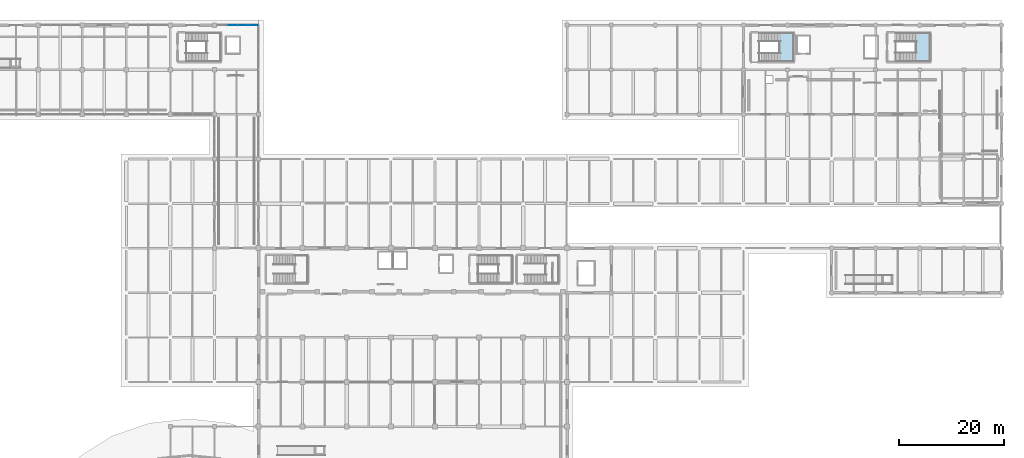
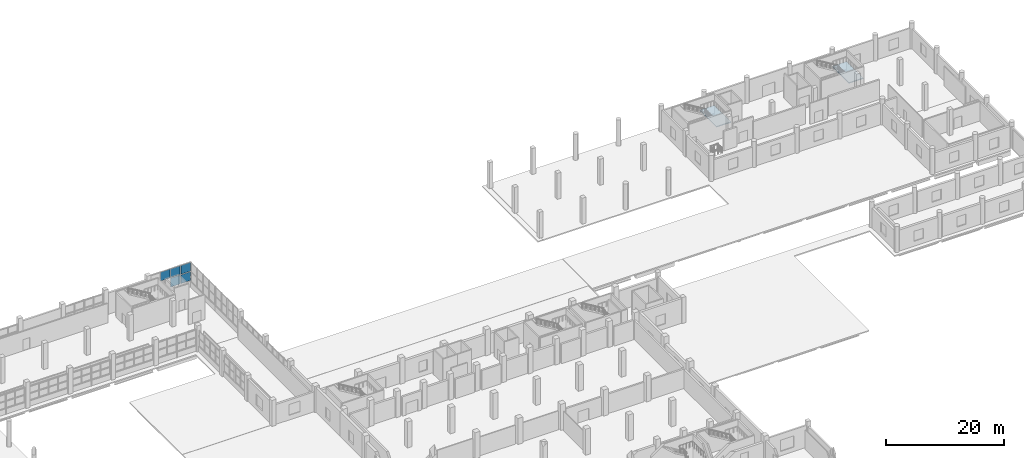
# One storey, part 85 of 107: 5 plates, 2 slabs, 3 elements without a shape of their own.
"""IFC4 building model written with IfcOpenShell, lengths in metres."""

from ifc_helpers import new_model, si_unit, direction, frame, origin, origin_2d, place, context, subcontext, project, spatial, polyline, rectangle, outline, extrude, material, layer, layer_set, type_object, element, aggregate, save


model = new_model("IFC4")

# Units and contexts
model_context = context("Model", 3, precision=1e-05, world=origin(), true_north=direction((0.0, 1.0)))
body_context = subcontext(model_context, "Body", "Model", "MODEL_VIEW")
ifc_project = project(units=[si_unit("LENGTHUNIT", "METRE"), si_unit("AREAUNIT", "SQUARE_METRE"), si_unit("VOLUMEUNIT", "CUBIC_METRE"), si_unit("PLANEANGLEUNIT", "RADIAN"), si_unit("MASSUNIT", "GRAM", prefix="KILO")], contexts=[model_context])

# Site, building, storey
site_placement = place(None, origin())
site = spatial("IfcSite", under=ifc_project, at=site_placement, CompositionType="ELEMENT")
building_placement = place(site_placement, origin())
building = spatial("IfcBuilding", under=site, at=building_placement, Name="Solvento Point Concert Hall", CompositionType="ELEMENT")
storey_placement = place(building_placement, origin())
storey = spatial("IfcBuildingStorey", under=building, at=storey_placement, Name="L00", CompositionType="ELEMENT", Elevation=0.0)

# Curtain wall, plates
ifc_material_1 = material(Name="Anodized Bronze Aluminium", Category="aluminium")
curtain_wall_type = type_object("IfcCurtainWallType", Name="CurtainWall_CourtPilotis", PredefinedType="USERDEFINED", material=ifc_material_1)
curtain_wall_placement = place(storey_placement, origin())
curtain_wall = element("IfcCurtainWall", 1, at=curtain_wall_placement, inside=storey, type_object=curtain_wall_type, Name="Unitised curtain wall CW-96 UCW-L00-031", ObjectType="UNITISED CURTAIN WALL", PredefinedType="USERDEFINED")
ifc_material_2 = material(Name="Hurricane Laminated Low-E Glass", Category="glass")
plate_type = type_object("IfcPlateType", Name="CurtainPanel_CourtPilotis", PredefinedType="CURTAIN_PANEL", material=ifc_material_2)
plate_1_placement = place(storey_placement, frame((69.42626953125, 136.0, 3.18017578125), z_axis=(0.0, 0.0, 1.0), x_axis=(1.0, 0.0, 0.0)))
plate_1 = element("IfcPlate", 2, at=plate_1_placement, type_object=plate_type, Name="Glazed curtain panel GL-06", PredefinedType="CURTAIN_PANEL", context=body_context, shape_type="SweptSolid", body=[
    extrude(rectangle(XDim=1.857421875, YDim=0.030029296875, at=origin_2d()), origin(), (0.0, 0.0, 1.0), 1.820068359375),
])
plate_2_placement = place(storey_placement, frame((71.40380859375, 136.0, 1.23974609375), z_axis=(0.0, 0.0, 1.0), x_axis=(1.0, 0.0, 0.0)))
plate_2 = element("IfcPlate", 3, at=plate_2_placement, type_object=plate_type, Name="Glazed curtain panel GL-06", PredefinedType="CURTAIN_PANEL", context=body_context, shape_type="SweptSolid", body=[
    extrude(rectangle(XDim=1.857421875, YDim=0.030029296875, at=origin_2d()), origin(), (0.0, 0.0, 1.0), 1.820068359375),
])
plate_3_placement = place(storey_placement, frame((71.40380859375, 136.0, 3.18017578125), z_axis=(0.0, 0.0, 1.0), x_axis=(1.0, 0.0, 0.0)))
plate_3 = element("IfcPlate", 4, at=plate_3_placement, type_object=plate_type, Name="Glazed curtain panel GL-06", PredefinedType="CURTAIN_PANEL", context=body_context, shape_type="SweptSolid", body=[
    extrude(rectangle(XDim=1.857421875, YDim=0.030029296875, at=origin_2d()), origin(), (0.0, 0.0, 1.0), 1.820068359375),
])
plate_4_placement = place(storey_placement, frame((73.38134765625, 136.0, 1.23974609375), z_axis=(0.0, 0.0, 1.0), x_axis=(1.0, 0.0, 0.0)))
plate_4 = element("IfcPlate", 5, at=plate_4_placement, type_object=plate_type, Name="Glazed curtain panel GL-06", PredefinedType="CURTAIN_PANEL", context=body_context, shape_type="SweptSolid", body=[
    extrude(rectangle(XDim=1.857421875, YDim=0.030029296875, at=origin_2d()), origin(), (0.0, 0.0, 1.0), 1.820068359375),
])
plate_5_placement = place(storey_placement, frame((73.38134765625, 136.0, 3.18017578125), z_axis=(0.0, 0.0, 1.0), x_axis=(1.0, 0.0, 0.0)))
plate_5 = element("IfcPlate", 6, at=plate_5_placement, type_object=plate_type, Name="Glazed curtain panel GL-06", PredefinedType="CURTAIN_PANEL", context=body_context, shape_type="SweptSolid", body=[
    extrude(rectangle(XDim=1.857421875, YDim=0.030029296875, at=origin_2d()), origin(), (0.0, 0.0, 1.0), 1.820068359375),
])
aggregate(curtain_wall, [plate_1, plate_2, plate_3, plate_4, plate_5])

# Stair, slab
ifc_material_3 = material(Name="Concrete C35/45", Category="concrete")
stair_type_1 = type_object("IfcStairType", Name="CoreStair_1600", PredefinedType="HALF_TURN_STAIR", material=ifc_material_3)
stair_1_placement = place(storey_placement, origin())
stair_1 = element("IfcStair", 7, at=stair_1_placement, inside=storey, type_object=stair_type_1, Name="Protected exit stair ST-01 (L00 to L01)", PredefinedType="HALF_TURN_STAIR")
ifc_material_4 = material(Name="Concrete C35/45", Category="concrete")
ifc_layer = layer(ifc_material_4, 0.179931640625)
ifc_layer_set = layer_set([ifc_layer], Name="Concrete C35/45")
slab_type = type_object("IfcSlabType", Name="StairLanding_180", PredefinedType="LANDING", material=ifc_layer_set)
slab_1_placement = place(storey_placement, frame((0.0, 0.0, 2.52001953125)))
slab_1 = element("IfcSlab", 8, at=slab_1_placement, type_object=slab_type, Name="Stair half-landing ST-01 L00", PredefinedType="LANDING", context=body_context, shape_type="SweptSolid", body=[
    extrude(outline(polyline([(173.60009765625, 128.9599609375), (176.43994140625, 128.9599609375), (176.43994140625, 134.639892578125), (173.60009765625, 134.639892578125), (173.60009765625, 128.9599609375)])), origin(), (0.0, 0.0, 1.0), 0.179931640625),
])
aggregate(stair_1, [slab_1])

ifc_material_5 = material(Name="Concrete C35/45", Category="concrete")
stair_type_2 = type_object("IfcStairType", Name="CoreStair_1680", PredefinedType="HALF_TURN_STAIR", material=ifc_material_5)
stair_2_placement = place(storey_placement, origin())
stair_2 = element("IfcStair", 9, at=stair_2_placement, inside=storey, type_object=stair_type_2, Name="Protected exit stair ST-02 (L00 to L01)", PredefinedType="HALF_TURN_STAIR")
slab_2_placement = place(storey_placement, frame((0.0, 0.0, 2.52001953125)))
slab_2 = element("IfcSlab", 10, at=slab_2_placement, type_object=slab_type, Name="Stair half-landing ST-02 L00", PredefinedType="LANDING", context=body_context, shape_type="SweptSolid", body=[
    extrude(outline(polyline([(199.60009765625, 128.9599609375), (202.43994140625, 128.9599609375), (202.43994140625, 134.639892578125), (199.60009765625, 134.639892578125), (199.60009765625, 128.9599609375)])), origin(), (0.0, 0.0, 1.0), 0.179931640625),
])
aggregate(stair_2, [slab_2])

save(model, "model.ifc")
